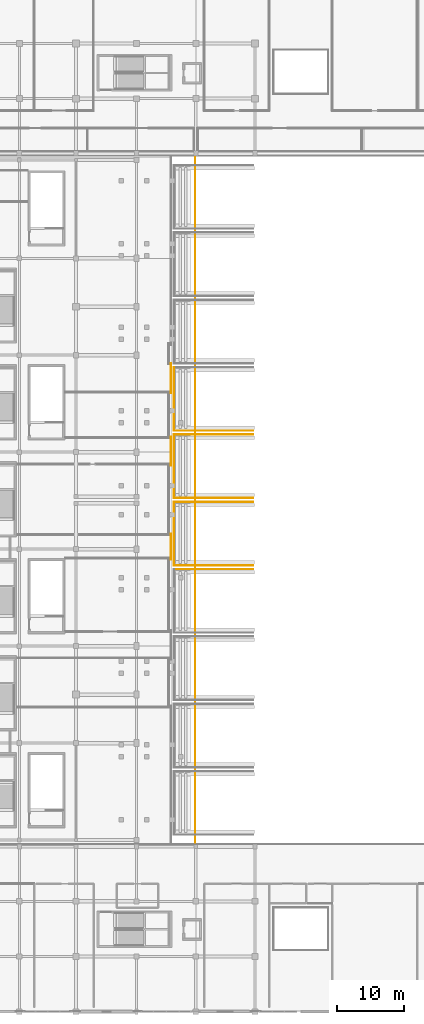
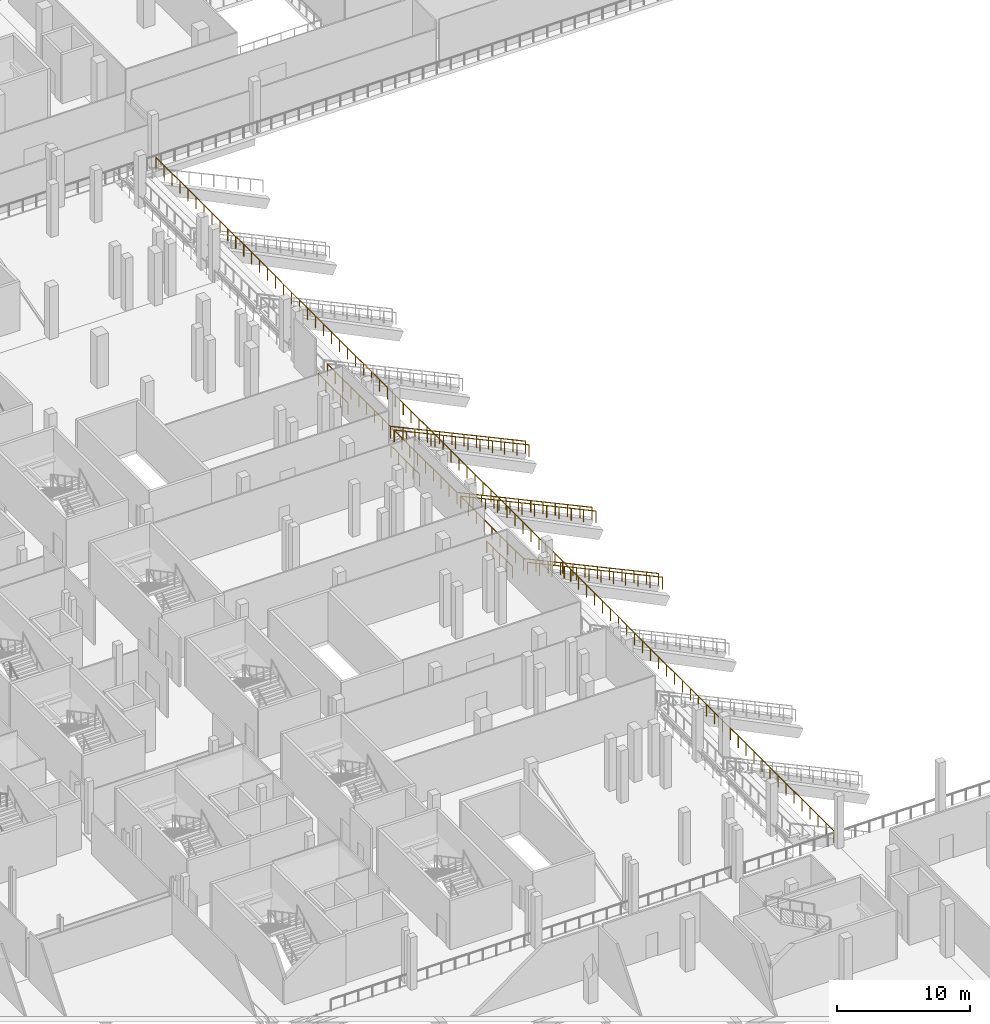
# One storey, part 109 of 129: 14 railings.
"""IFC4 building model written with IfcOpenShell, lengths in metres."""

import ifcopenshell
import ifcopenshell.guid

model = None  # the IFC model being written
_history = None  # IfcOwnerHistory: only IFC2X3 demands one
_inside = {}  # id of a spatial element -> (the spatial element, [elements in it])
_under = {}  # id of a project, library or spatial element -> (it, [spatial elements below it])
_declared = {}  # id of a project -> (the project, [libraries it declares])
_typed = {}  # id of a type object -> (the type object, [elements of that type])
_made_of = {}  # id of a material, layer set ... -> (it, [elements and type objects made of it])


def new_model(schema):
    """Start an empty IFC model of exactly this schema.

    Asked for "IFC4X3", IfcOpenShell would pick the latest addendum, in which some entities
    have other attributes; the version numbers below select the first issue.
    IFC2X3 requires an IfcOwnerHistory on every rooted entity: one is made here for all.
    """
    global model, _history
    if schema == "IFC4X3":
        model = ifcopenshell.file(schema_version=(4, 3, 0, 0))
    else:
        model = ifcopenshell.file(schema=schema)
    _inside.clear()
    _under.clear()
    _declared.clear()
    _typed.clear()
    _made_of.clear()
    _history = None
    if model.schema == "IFC2X3":
        org = make("IfcOrganization", Name="unknown")
        user = make(
            "IfcPersonAndOrganization",
            ThePerson=make("IfcPerson", FamilyName="unknown"),
            TheOrganization=org,
        )
        app = make(
            "IfcApplication",
            ApplicationDeveloper=org,
            Version="unknown",
            ApplicationFullName="unknown",
            ApplicationIdentifier="unknown",
        )
        _history = make(
            "IfcOwnerHistory",
            OwningUser=user,
            OwningApplication=app,
            ChangeAction="ADDED",
            CreationDate=0,
        )
    return model


def make(cls, **values):
    """One entity of the class cls with the attributes given. An attribute that is None is left unset."""
    return model.create_entity(
        cls, **{name: value for name, value in values.items() if value is not None}
    )


def rooted(cls, **values):
    """An entity with a GlobalId (a new one), such as an element, a storey or a relation."""
    return make(cls, GlobalId=ifcopenshell.guid.new(), OwnerHistory=_history, **values)


def si_unit(unit_type, name, prefix=None):
    """IfcSIUnit, for example si_unit("LENGTHUNIT", "METRE", prefix="MILLI")."""
    return make("IfcSIUnit", UnitType=unit_type, Prefix=prefix, Name=name)


def assignment(units):
    """IfcUnitAssignment: the units of a project."""
    return None if units is None else make("IfcUnitAssignment", Units=units)


def point(xyz):
    """IfcCartesianPoint."""
    return None if xyz is None else make("IfcCartesianPoint", Coordinates=xyz)


def direction(xyz):
    """IfcDirection."""
    return None if xyz is None else make("IfcDirection", DirectionRatios=xyz)


def frame(location, z_axis=None, x_axis=None):
    """IfcAxis2Placement3D, a coordinate frame: its origin and axes. An axis left out is left unset."""
    return make(
        "IfcAxis2Placement3D",
        Location=point(location),
        Axis=direction(z_axis),
        RefDirection=direction(x_axis),
    )


def frame_2d(location, x_axis=None):
    """IfcAxis2Placement2D, a coordinate frame in the plane: its origin and x axis."""
    return make(
        "IfcAxis2Placement2D", Location=point(location), RefDirection=direction(x_axis)
    )


def origin():
    """The frame at (0, 0, 0) with its axes left unset."""
    return frame((0.0, 0.0, 0.0))


def origin_2d():
    """The frame at (0, 0) in the plane with its x axis left unset."""
    return frame_2d((0.0, 0.0))


def place(relative_to, where):
    """IfcLocalPlacement: puts the frame where relative to a parent placement (None: the world)."""
    return make(
        "IfcLocalPlacement", PlacementRelTo=relative_to, RelativePlacement=where
    )


def context(
    kind, dimensions, precision=None, world=None, true_north=None, identifier=None
):
    """IfcGeometricRepresentationContext, for example the 3D "Model" context."""
    return make(
        "IfcGeometricRepresentationContext",
        ContextIdentifier=identifier,
        ContextType=kind,
        CoordinateSpaceDimension=dimensions,
        Precision=precision,
        WorldCoordinateSystem=world,
        TrueNorth=true_north,
    )


def subcontext(parent, identifier, kind, view, scale=None):
    """IfcGeometricRepresentationSubContext, for example "Body" below "Model"."""
    return make(
        "IfcGeometricRepresentationSubContext",
        ContextIdentifier=identifier,
        ContextType=kind,
        ParentContext=parent,
        TargetScale=scale,
        TargetView=view,
    )


def project(units=None, contexts=None):
    """IfcProject with its units and contexts."""
    return rooted(
        "IfcProject",
        Name="project",
        RepresentationContexts=contexts,
        UnitsInContext=assignment(units),
    )


def spatial(cls, under=None, at=None, **own):
    """A site, building, storey or space (cls), placed at a placement, below another one or the project."""
    s = rooted(cls, ObjectPlacement=at, **own)
    if under is not None:
        _under.setdefault(under.id(), (under, []))[1].append(s)
    return s


def profile(cls, at=None, kind="AREA", **sizes):
    """A parametric profile (cls). Its sizes go by their IFC names, for example OverallWidth=200.0."""
    return make(cls, ProfileType=kind, Position=at, **sizes)


def circle(**sizes):
    """IfcCircleProfileDef."""
    return profile("IfcCircleProfileDef", **sizes)


def extrude(swept, where, along, depth):
    """IfcExtrudedAreaSolid: the profile swept, set in the frame where, extruded along a direction by depth."""
    return make(
        "IfcExtrudedAreaSolid",
        SweptArea=swept,
        Position=where,
        ExtrudedDirection=direction(along),
        Depth=depth,
    )


def shape(context_of_items, identifier, shape_type, items):
    """IfcShapeRepresentation: the items that make up one representation, for example the "Body"."""
    return make(
        "IfcShapeRepresentation",
        ContextOfItems=context_of_items,
        RepresentationIdentifier=identifier,
        RepresentationType=shape_type,
        Items=items,
    )


def material(Name=None, Category=None):
    """IfcMaterial."""
    return make("IfcMaterial", Name=Name, Category=Category)


def made_of(thing, what):
    """Note that an element or type object is made of a material, layer set ...; save() writes the relation."""
    if what is not None:
        _made_of.setdefault(what.id(), (what, []))[1].append(thing)
    return thing


def type_object(cls, material=None, **own):
    """A type object (cls), such as IfcWallType, which elements share."""
    return made_of(rooted(cls, **own), material)


def element(
    cls,
    number,
    at=None,
    inside=None,
    cuts=None,
    type_object=None,
    material=None,
    context=None,
    identifier="Body",
    shape_type=None,
    held_by="IfcProductDefinitionShape",
    body=None,
    shapes=None,
    **own,
):
    """One element of the class cls, such as IfcWall. Its Tag is "e" and its number.

    at: its placement. inside: the storey or other place that contains it. cuts: it is an
    opening in that element (IfcRelVoidsElement). A single representation is given by context,
    identifier, shape_type and body (its items); several are given by shapes. held_by: the class
    of the entity that holds the representations. save() writes the other relations.
    """
    e = rooted(cls, Tag="e%d" % number, ObjectPlacement=at, **own)
    if body is not None:
        shapes = [shape(context, identifier, shape_type, body)]
    if shapes is not None:
        e.Representation = make(held_by, Representations=shapes)
    if inside is not None:
        _inside.setdefault(inside.id(), (inside, []))[1].append(e)
    if cuts is not None:
        rooted(
            "IfcRelVoidsElement", RelatingBuildingElement=cuts, RelatedOpeningElement=e
        )
    if type_object is not None:
        _typed.setdefault(type_object.id(), (type_object, []))[1].append(e)
    return made_of(e, material)


def aggregate(whole, parts):
    """IfcRelAggregates: a whole, such as a stair, and the parts it consists of."""
    return rooted("IfcRelAggregates", RelatingObject=whole, RelatedObjects=parts)


def save(model, path):
    """Write the relations noted so far, then the file.

    IfcRelAggregates (storeys below a building ...), IfcRelContainedInSpatialStructure (elements
    in a storey), IfcRelDefinesByType, IfcRelAssociatesMaterial and IfcRelDeclares: one each for
    every whole, place, type object, material and project.
    """
    for whole, parts in _under.values():
        aggregate(whole, parts)
    for where, things in _inside.values():
        rooted(
            "IfcRelContainedInSpatialStructure",
            RelatedElements=things,
            RelatingStructure=where,
        )
    for kind, things in _typed.values():
        rooted("IfcRelDefinesByType", RelatedObjects=things, RelatingType=kind)
    for what, things in _made_of.values():
        rooted("IfcRelAssociatesMaterial", RelatedObjects=things, RelatingMaterial=what)
    for by, libraries in _declared.values():
        rooted("IfcRelDeclares", RelatingContext=by, RelatedDefinitions=libraries)
    model.write(path)


model = new_model("IFC4")

# Units and contexts
model_context = context("Model", 3, precision=1e-05, world=origin(), true_north=direction((0.0, 1.0)))
body_context = subcontext(model_context, "Body", "Model", "MODEL_VIEW")
ifc_project = project(units=[si_unit("LENGTHUNIT", "METRE"), si_unit("AREAUNIT", "SQUARE_METRE"), si_unit("VOLUMEUNIT", "CUBIC_METRE"), si_unit("PLANEANGLEUNIT", "RADIAN"), si_unit("MASSUNIT", "GRAM", prefix="KILO")], contexts=[model_context])

# Site, building, storey
site_placement = place(None, origin())
site = spatial("IfcSite", under=ifc_project, at=site_placement, CompositionType="ELEMENT")
building_placement = place(site_placement, origin())
building = spatial("IfcBuilding", under=site, at=building_placement, Name="Koshinbarg Plaza Stadium", CompositionType="ELEMENT")
storey_placement = place(building_placement, frame((0.0, 0.0, 5.39990234375)))
storey = spatial("IfcBuildingStorey", under=building, at=storey_placement, Name="L01", CompositionType="ELEMENT", Elevation=5.39990234375)

# Railings
ifc_material_1 = material(Name="Toughened laminated glass and stainless steel sightline balustrade", Category="steel")
railing_type_1 = type_object("IfcRailingType", Name="RL-BOWL-1100", PredefinedType="BALUSTRADE", material=ifc_material_1)
railing_1_placement = place(storey_placement, frame((72.320068359375, 25.10009765625, 0.0)))
element("IfcRailing", 1, at=railing_1_placement, inside=storey, type_object=railing_type_1, Name="L01 bowl concourse sightline balustrade 0016", PredefinedType="BALUSTRADE", context=body_context, shape_type="SweptSolid", body=[
    extrude(circle(Radius=0.02392578125, at=origin_2d()), frame((0.0, 0.0, 1.076171875), z_axis=(0.0, 1.0, 0.0), x_axis=(-1.0, 0.0, 0.0)), (0.0, 0.0, 1.0), 101.7998046875),
    extrude(circle(Radius=0.02099609375, at=origin_2d()), origin(), (0.0, 0.0, 1.0), 1.052001953125),
    extrude(circle(Radius=0.02099609375, at=origin_2d()), frame((0.0, 1.19775390625, 0.0)), (0.0, 0.0, 1.0), 1.052001953125),
    extrude(circle(Radius=0.02099609375, at=origin_2d()), frame((0.0, 2.395263671875, 0.0)), (0.0, 0.0, 1.0), 1.052001953125),
    extrude(circle(Radius=0.02099609375, at=origin_2d()), frame((0.0, 3.593017578125, 0.0)), (0.0, 0.0, 1.0), 1.052001953125),
    extrude(circle(Radius=0.02099609375, at=origin_2d()), frame((0.0, 4.79052734375, 0.0)), (0.0, 0.0, 1.0), 1.052001953125),
    extrude(circle(Radius=0.02099609375, at=origin_2d()), frame((0.0, 5.98828125, 0.0)), (0.0, 0.0, 1.0), 1.052001953125),
    extrude(circle(Radius=0.02099609375, at=origin_2d()), frame((0.0, 7.185791015625, 0.0)), (0.0, 0.0, 1.0), 1.052001953125),
    extrude(circle(Radius=0.02099609375, at=origin_2d()), frame((0.0, 8.383544921875, 0.0)), (0.0, 0.0, 1.0), 1.052001953125),
    extrude(circle(Radius=0.02099609375, at=origin_2d()), frame((0.0, 9.5810546875, 0.0)), (0.0, 0.0, 1.0), 1.052001953125),
    extrude(circle(Radius=0.02099609375, at=origin_2d()), frame((0.0, 10.77880859375, 0.0)), (0.0, 0.0, 1.0), 1.052001953125),
    extrude(circle(Radius=0.02099609375, at=origin_2d()), frame((0.0, 11.9765625, 0.0)), (0.0, 0.0, 1.0), 1.052001953125),
    extrude(circle(Radius=0.02099609375, at=origin_2d()), frame((0.0, 13.174072265625, 0.0)), (0.0, 0.0, 1.0), 1.052001953125),
    extrude(circle(Radius=0.02099609375, at=origin_2d()), frame((0.0, 14.371826171875, 0.0)), (0.0, 0.0, 1.0), 1.052001953125),
    extrude(circle(Radius=0.02099609375, at=origin_2d()), frame((0.0, 15.5693359375, 0.0)), (0.0, 0.0, 1.0), 1.052001953125),
    extrude(circle(Radius=0.02099609375, at=origin_2d()), frame((0.0, 16.76708984375, 0.0)), (0.0, 0.0, 1.0), 1.052001953125),
    extrude(circle(Radius=0.02099609375, at=origin_2d()), frame((0.0, 17.964599609375, 0.0)), (0.0, 0.0, 1.0), 1.052001953125),
    extrude(circle(Radius=0.02099609375, at=origin_2d()), frame((0.0, 19.162353515625, 0.0)), (0.0, 0.0, 1.0), 1.052001953125),
    extrude(circle(Radius=0.02099609375, at=origin_2d()), frame((0.0, 20.35986328125, 0.0)), (0.0, 0.0, 1.0), 1.052001953125),
    extrude(circle(Radius=0.02099609375, at=origin_2d()), frame((0.0, 21.5576171875, 0.0)), (0.0, 0.0, 1.0), 1.052001953125),
    extrude(circle(Radius=0.02099609375, at=origin_2d()), frame((0.0, 22.75537109375, 0.0)), (0.0, 0.0, 1.0), 1.052001953125),
    extrude(circle(Radius=0.02099609375, at=origin_2d()), frame((0.0, 23.952880859375, 0.0)), (0.0, 0.0, 1.0), 1.052001953125),
    extrude(circle(Radius=0.02099609375, at=origin_2d()), frame((0.0, 25.150634765625, 0.0)), (0.0, 0.0, 1.0), 1.052001953125),
    extrude(circle(Radius=0.02099609375, at=origin_2d()), frame((0.0, 26.34814453125, 0.0)), (0.0, 0.0, 1.0), 1.052001953125),
    extrude(circle(Radius=0.02099609375, at=origin_2d()), frame((0.0, 27.5458984375, 0.0)), (0.0, 0.0, 1.0), 1.052001953125),
    extrude(circle(Radius=0.02099609375, at=origin_2d()), frame((0.0, 28.743408203125, 0.0)), (0.0, 0.0, 1.0), 1.052001953125),
    extrude(circle(Radius=0.02099609375, at=origin_2d()), frame((0.0, 29.941162109375, 0.0)), (0.0, 0.0, 1.0), 1.052001953125),
    extrude(circle(Radius=0.02099609375, at=origin_2d()), frame((0.0, 31.138671875, 0.0)), (0.0, 0.0, 1.0), 1.052001953125),
    extrude(circle(Radius=0.02099609375, at=origin_2d()), frame((0.0, 32.33642578125, 0.0)), (0.0, 0.0, 1.0), 1.052001953125),
    extrude(circle(Radius=0.02099609375, at=origin_2d()), frame((0.0, 33.533935546875, 0.0)), (0.0, 0.0, 1.0), 1.052001953125),
    extrude(circle(Radius=0.02099609375, at=origin_2d()), frame((0.0, 34.731689453125, 0.0)), (0.0, 0.0, 1.0), 1.052001953125),
    extrude(circle(Radius=0.02099609375, at=origin_2d()), frame((0.0, 35.929443359375, 0.0)), (0.0, 0.0, 1.0), 1.052001953125),
    extrude(circle(Radius=0.02099609375, at=origin_2d()), frame((0.0, 37.126953125, 0.0)), (0.0, 0.0, 1.0), 1.052001953125),
    extrude(circle(Radius=0.02099609375, at=origin_2d()), frame((0.0, 38.32470703125, 0.0)), (0.0, 0.0, 1.0), 1.052001953125),
    extrude(circle(Radius=0.02099609375, at=origin_2d()), frame((0.0, 39.522216796875, 0.0)), (0.0, 0.0, 1.0), 1.052001953125),
    extrude(circle(Radius=0.02099609375, at=origin_2d()), frame((0.0, 40.719970703125, 0.0)), (0.0, 0.0, 1.0), 1.052001953125),
    extrude(circle(Radius=0.02099609375, at=origin_2d()), frame((0.0, 41.91748046875, 0.0)), (0.0, 0.0, 1.0), 1.052001953125),
    extrude(circle(Radius=0.02099609375, at=origin_2d()), frame((0.0, 43.115234375, 0.0)), (0.0, 0.0, 1.0), 1.052001953125),
    extrude(circle(Radius=0.02099609375, at=origin_2d()), frame((0.0, 44.312744140625, 0.0)), (0.0, 0.0, 1.0), 1.052001953125),
    extrude(circle(Radius=0.02099609375, at=origin_2d()), frame((0.0, 45.510498046875, 0.0)), (0.0, 0.0, 1.0), 1.052001953125),
    extrude(circle(Radius=0.02099609375, at=origin_2d()), frame((0.0, 46.708251953125, 0.0)), (0.0, 0.0, 1.0), 1.052001953125),
    extrude(circle(Radius=0.02099609375, at=origin_2d()), frame((0.0, 47.90576171875, 0.0)), (0.0, 0.0, 1.0), 1.052001953125),
    extrude(circle(Radius=0.02099609375, at=origin_2d()), frame((0.0, 49.103515625, 0.0)), (0.0, 0.0, 1.0), 1.052001953125),
    extrude(circle(Radius=0.02099609375, at=origin_2d()), frame((0.0, 50.301025390625, 0.0)), (0.0, 0.0, 1.0), 1.052001953125),
    extrude(circle(Radius=0.02099609375, at=origin_2d()), frame((0.0, 51.498779296875, 0.0)), (0.0, 0.0, 1.0), 1.052001953125),
    extrude(circle(Radius=0.02099609375, at=origin_2d()), frame((0.0, 52.6962890625, 0.0)), (0.0, 0.0, 1.0), 1.052001953125),
    extrude(circle(Radius=0.02099609375, at=origin_2d()), frame((0.0, 53.89404296875, 0.0)), (0.0, 0.0, 1.0), 1.052001953125),
    extrude(circle(Radius=0.02099609375, at=origin_2d()), frame((0.0, 55.091552734375, 0.0)), (0.0, 0.0, 1.0), 1.052001953125),
    extrude(circle(Radius=0.02099609375, at=origin_2d()), frame((0.0, 56.289306640625, 0.0)), (0.0, 0.0, 1.0), 1.052001953125),
    extrude(circle(Radius=0.02099609375, at=origin_2d()), frame((0.0, 57.487060546875, 0.0)), (0.0, 0.0, 1.0), 1.052001953125),
    extrude(circle(Radius=0.02099609375, at=origin_2d()), frame((0.0, 58.6845703125, 0.0)), (0.0, 0.0, 1.0), 1.052001953125),
    extrude(circle(Radius=0.02099609375, at=origin_2d()), frame((0.0, 59.88232421875, 0.0)), (0.0, 0.0, 1.0), 1.052001953125),
    extrude(circle(Radius=0.02099609375, at=origin_2d()), frame((0.0, 61.079833984375, 0.0)), (0.0, 0.0, 1.0), 1.052001953125),
    extrude(circle(Radius=0.02099609375, at=origin_2d()), frame((0.0, 62.277587890625, 0.0)), (0.0, 0.0, 1.0), 1.052001953125),
    extrude(circle(Radius=0.02099609375, at=origin_2d()), frame((0.0, 63.47509765625, 0.0)), (0.0, 0.0, 1.0), 1.052001953125),
    extrude(circle(Radius=0.02099609375, at=origin_2d()), frame((0.0, 64.6728515625, 0.0)), (0.0, 0.0, 1.0), 1.052001953125),
    extrude(circle(Radius=0.02099609375, at=origin_2d()), frame((0.0, 65.870361328125, 0.0)), (0.0, 0.0, 1.0), 1.052001953125),
    extrude(circle(Radius=0.02099609375, at=origin_2d()), frame((0.0, 67.068115234375, 0.0)), (0.0, 0.0, 1.0), 1.052001953125),
    extrude(circle(Radius=0.02099609375, at=origin_2d()), frame((0.0, 68.265869140625, 0.0)), (0.0, 0.0, 1.0), 1.052001953125),
    extrude(circle(Radius=0.02099609375, at=origin_2d()), frame((0.0, 69.46337890625, 0.0)), (0.0, 0.0, 1.0), 1.052001953125),
    extrude(circle(Radius=0.02099609375, at=origin_2d()), frame((0.0, 70.6611328125, 0.0)), (0.0, 0.0, 1.0), 1.052001953125),
    extrude(circle(Radius=0.02099609375, at=origin_2d()), frame((0.0, 71.858642578125, 0.0)), (0.0, 0.0, 1.0), 1.052001953125),
    extrude(circle(Radius=0.02099609375, at=origin_2d()), frame((0.0, 73.056396484375, 0.0)), (0.0, 0.0, 1.0), 1.052001953125),
    extrude(circle(Radius=0.02099609375, at=origin_2d()), frame((0.0, 74.25390625, 0.0)), (0.0, 0.0, 1.0), 1.052001953125),
    extrude(circle(Radius=0.02099609375, at=origin_2d()), frame((0.0, 75.45166015625, 0.0)), (0.0, 0.0, 1.0), 1.052001953125),
    extrude(circle(Radius=0.02099609375, at=origin_2d()), frame((0.0, 76.649169921875, 0.0)), (0.0, 0.0, 1.0), 1.052001953125),
    extrude(circle(Radius=0.02099609375, at=origin_2d()), frame((0.0, 77.846923828125, 0.0)), (0.0, 0.0, 1.0), 1.052001953125),
    extrude(circle(Radius=0.02099609375, at=origin_2d()), frame((0.0, 79.04443359375, 0.0)), (0.0, 0.0, 1.0), 1.052001953125),
    extrude(circle(Radius=0.02099609375, at=origin_2d()), frame((0.0, 80.2421875, 0.0)), (0.0, 0.0, 1.0), 1.052001953125),
    extrude(circle(Radius=0.02099609375, at=origin_2d()), frame((0.0, 81.43994140625, 0.0)), (0.0, 0.0, 1.0), 1.052001953125),
    extrude(circle(Radius=0.02099609375, at=origin_2d()), frame((0.0, 82.637451171875, 0.0)), (0.0, 0.0, 1.0), 1.052001953125),
    extrude(circle(Radius=0.02099609375, at=origin_2d()), frame((0.0, 83.835205078125, 0.0)), (0.0, 0.0, 1.0), 1.052001953125),
    extrude(circle(Radius=0.02099609375, at=origin_2d()), frame((0.0, 85.03271484375, 0.0)), (0.0, 0.0, 1.0), 1.052001953125),
    extrude(circle(Radius=0.02099609375, at=origin_2d()), frame((0.0, 86.23046875, 0.0)), (0.0, 0.0, 1.0), 1.052001953125),
    extrude(circle(Radius=0.02099609375, at=origin_2d()), frame((0.0, 87.427978515625, 0.0)), (0.0, 0.0, 1.0), 1.052001953125),
    extrude(circle(Radius=0.02099609375, at=origin_2d()), frame((0.0, 88.625732421875, 0.0)), (0.0, 0.0, 1.0), 1.052001953125),
    extrude(circle(Radius=0.02099609375, at=origin_2d()), frame((0.0, 89.8232421875, 0.0)), (0.0, 0.0, 1.0), 1.052001953125),
    extrude(circle(Radius=0.02099609375, at=origin_2d()), frame((0.0, 91.02099609375, 0.0)), (0.0, 0.0, 1.0), 1.052001953125),
    extrude(circle(Radius=0.02099609375, at=origin_2d()), frame((0.0, 92.21875, 0.0)), (0.0, 0.0, 1.0), 1.052001953125),
    extrude(circle(Radius=0.02099609375, at=origin_2d()), frame((0.0, 93.416259765625, 0.0)), (0.0, 0.0, 1.0), 1.052001953125),
    extrude(circle(Radius=0.02099609375, at=origin_2d()), frame((0.0, 94.614013671875, 0.0)), (0.0, 0.0, 1.0), 1.052001953125),
    extrude(circle(Radius=0.02099609375, at=origin_2d()), frame((0.0, 95.8115234375, 0.0)), (0.0, 0.0, 1.0), 1.052001953125),
    extrude(circle(Radius=0.02099609375, at=origin_2d()), frame((0.0, 97.00927734375, 0.0)), (0.0, 0.0, 1.0), 1.052001953125),
    extrude(circle(Radius=0.02099609375, at=origin_2d()), frame((0.0, 98.206787109375, 0.0)), (0.0, 0.0, 1.0), 1.052001953125),
    extrude(circle(Radius=0.02099609375, at=origin_2d()), frame((0.0, 99.404541015625, 0.0)), (0.0, 0.0, 1.0), 1.052001953125),
    extrude(circle(Radius=0.02099609375, at=origin_2d()), frame((0.0, 100.60205078125, 0.0)), (0.0, 0.0, 1.0), 1.052001953125),
    extrude(circle(Radius=0.02099609375, at=origin_2d()), frame((0.0, 101.7998046875, 0.0)), (0.0, 0.0, 1.0), 1.052001953125),
])
railing_2_placement = place(storey_placement, frame((68.719970703125, 83.10009765625, 0.0)))
element("IfcRailing", 2, at=railing_2_placement, inside=storey, type_object=railing_type_1, Name="L01 deck edge safety balustrade 0004", PredefinedType="BALUSTRADE", context=body_context, shape_type="SweptSolid", body=[
    extrude(circle(Radius=0.02392578125, at=origin_2d()), frame((0.0, 0.0, 1.076171875), z_axis=(0.0, -1.0, 0.0), x_axis=(1.0, 0.0, 0.0)), (0.0, 0.0, 1.0), 2.0),
    extrude(circle(Radius=0.02099609375, at=origin_2d()), origin(), (0.0, 0.0, 1.0), 1.052001953125),
    extrude(circle(Radius=0.02099609375, at=origin_2d()), frame((0.0, -1.0, 0.0)), (0.0, 0.0, 1.0), 1.052001953125),
    extrude(circle(Radius=0.02099609375, at=origin_2d()), frame((0.0, -2.0, 0.0)), (0.0, 0.0, 1.0), 1.052001953125),
])
railing_3_placement = place(storey_placement, frame((68.719970703125, 71.0, 0.0)))
element("IfcRailing", 3, at=railing_3_placement, inside=storey, type_object=railing_type_1, Name="L01 deck edge safety balustrade 0005", PredefinedType="BALUSTRADE", context=body_context, shape_type="SweptSolid", body=[
    extrude(circle(Radius=0.02392578125, at=origin_2d()), frame((0.0, 0.0, 1.076171875), z_axis=(0.0, -1.0, 0.0), x_axis=(1.0, 0.0, 0.0)), (0.0, 0.0, 1.0), 3.85009765625),
    extrude(circle(Radius=0.02099609375, at=origin_2d()), origin(), (0.0, 0.0, 1.0), 1.052001953125),
    extrude(circle(Radius=0.02099609375, at=origin_2d()), frame((0.0, -0.96240234375, 0.0)), (0.0, 0.0, 1.0), 1.052001953125),
    extrude(circle(Radius=0.02099609375, at=origin_2d()), frame((0.0, -1.925048828125, 0.0)), (0.0, 0.0, 1.0), 1.052001953125),
    extrude(circle(Radius=0.02099609375, at=origin_2d()), frame((0.0, -2.8876953125, 0.0)), (0.0, 0.0, 1.0), 1.052001953125),
    extrude(circle(Radius=0.02099609375, at=origin_2d()), frame((0.0, -3.85009765625, 0.0)), (0.0, 0.0, 1.0), 1.052001953125),
])
railing_4_placement = place(storey_placement, frame((68.719970703125, 96.282470703125, 0.0)))
element("IfcRailing", 4, at=railing_4_placement, inside=storey, type_object=railing_type_1, Name="L01 deck edge safety balustrade 0008", PredefinedType="BALUSTRADE", context=body_context, shape_type="SweptSolid", body=[
    extrude(circle(Radius=0.02392578125, at=origin_2d()), frame((0.0, 0.0, 1.076171875), z_axis=(0.0, -1.0, 0.0), x_axis=(1.0, 0.0, 0.0)), (0.0, 0.0, 1.0), 4.428955078125),
    extrude(circle(Radius=0.02099609375, at=origin_2d()), origin(), (0.0, 0.0, 1.0), 1.052001953125),
    extrude(circle(Radius=0.02099609375, at=origin_2d()), frame((0.0, -1.107177734375, 0.0)), (0.0, 0.0, 1.0), 1.052001953125),
    extrude(circle(Radius=0.02099609375, at=origin_2d()), frame((0.0, -2.21435546875, 0.0)), (0.0, 0.0, 1.0), 1.052001953125),
    extrude(circle(Radius=0.02099609375, at=origin_2d()), frame((0.0, -3.32177734375, 0.0)), (0.0, 0.0, 1.0), 1.052001953125),
    extrude(circle(Radius=0.02099609375, at=origin_2d()), frame((0.0, -4.428955078125, 0.0)), (0.0, 0.0, 1.0), 1.052001953125),
])
railing_5_placement = place(storey_placement, frame((68.719970703125, 85.38916015625, 0.0)))
element("IfcRailing", 5, at=railing_5_placement, inside=storey, type_object=railing_type_1, Name="L01 deck edge safety balustrade 0009", PredefinedType="BALUSTRADE", context=body_context, shape_type="SweptSolid", body=[
    extrude(circle(Radius=0.02392578125, at=origin_2d()), frame((0.0, 0.0, 1.076171875), z_axis=(0.0, -1.0, 0.0), x_axis=(1.0, 0.0, 0.0)), (0.0, 0.0, 1.0), 2.2890625),
    extrude(circle(Radius=0.02099609375, at=origin_2d()), origin(), (0.0, 0.0, 1.0), 1.052001953125),
    extrude(circle(Radius=0.02099609375, at=origin_2d()), frame((0.0, -1.14453125, 0.0)), (0.0, 0.0, 1.0), 1.052001953125),
    extrude(circle(Radius=0.02099609375, at=origin_2d()), frame((0.0, -2.2890625, 0.0)), (0.0, 0.0, 1.0), 1.052001953125),
])
ifc_material_2 = material(Name="Galvanized painted steel guardrail", Category="steel")
railing_type_2 = type_object("IfcRailingType", Name="RL-GUARD-1100", PredefinedType="GUARDRAIL", material=ifc_material_2)
railing_6_placement = place(storey_placement, frame((80.89990234375, 65.719970703125, -4.3798828125)))
element("IfcRailing", 6, at=railing_6_placement, inside=storey, type_object=railing_type_2, Name="LT-W04 stepped aisle guard R", PredefinedType="GUARDRAIL", context=body_context, shape_type="SweptSolid", body=[
    extrude(circle(Radius=0.02392578125, at=origin_2d()), frame((0.0, 0.0, 1.076171875), z_axis=(-0.906183623075, 0.0, 0.422884430158), x_axis=(0.0, -1.0, 0.0)), (0.0, 0.0, 1.0), 12.9111328125),
    extrude(circle(Radius=0.02099609375, at=origin_2d()), origin(), (0.0, 0.0, 1.0), 1.052001953125),
    extrude(circle(Radius=0.02099609375, at=origin_2d()), frame((-1.063720703125, 0.0, 0.496337890625)), (0.0, 0.0, 1.0), 1.052001953125),
    extrude(circle(Radius=0.02099609375, at=origin_2d()), frame((-2.127197265625, 0.0, 0.99267578125)), (0.0, 0.0, 1.0), 1.052001953125),
    extrude(circle(Radius=0.02099609375, at=origin_2d()), frame((-3.19091796875, 0.0, 1.489013671875)), (0.0, 0.0, 1.0), 1.052001953125),
    extrude(circle(Radius=0.02099609375, at=origin_2d()), frame((-4.254638671875, 0.0, 1.9853515625)), (0.0, 0.0, 1.0), 1.052001953125),
    extrude(circle(Radius=0.02099609375, at=origin_2d()), frame((-5.318115234375, 0.0, 2.481689453125)), (0.0, 0.0, 1.0), 1.052001953125),
    extrude(circle(Radius=0.02099609375, at=origin_2d()), frame((-6.3818359375, 0.0, 2.978271484375)), (0.0, 0.0, 1.0), 1.052001953125),
    extrude(circle(Radius=0.02099609375, at=origin_2d()), frame((-7.4453125, 0.0, 3.474609375)), (0.0, 0.0, 1.0), 1.052001953125),
    extrude(circle(Radius=0.02099609375, at=origin_2d()), frame((-8.509033203125, 0.0, 3.970947265625)), (0.0, 0.0, 1.0), 1.052001953125),
    extrude(circle(Radius=0.02099609375, at=origin_2d()), frame((-9.57275390625, 0.0, 4.46728515625)), (0.0, 0.0, 1.0), 1.052001953125),
    extrude(circle(Radius=0.02099609375, at=origin_2d()), frame((-10.63623046875, 0.0, 4.963623046875)), (0.0, 0.0, 1.0), 1.052001953125),
    extrude(circle(Radius=0.02099609375, at=origin_2d()), frame((-11.699951171875, 0.0, 5.4599609375)), (0.0, 0.0, 1.0), 1.052001953125),
])
railing_7_placement = place(storey_placement, frame((69.179931640625, 66.280029296875, 1.080078125)))
element("IfcRailing", 7, at=railing_7_placement, inside=storey, type_object=railing_type_2, Name="LT-W05 rear stand guard", PredefinedType="GUARDRAIL", context=body_context, shape_type="SweptSolid", body=[
    extrude(circle(Radius=0.02392578125, at=origin_2d()), frame((0.0, 0.0, 1.076171875), z_axis=(0.0, 1.0, 0.0), x_axis=(-1.0, 0.0, 0.0)), (0.0, 0.0, 1.0), 9.43994140625),
    extrude(circle(Radius=0.02099609375, at=origin_2d()), origin(), (0.0, 0.0, 1.0), 1.052001953125),
    extrude(circle(Radius=0.02099609375, at=origin_2d()), frame((0.0, 1.179931640625, 0.0)), (0.0, 0.0, 1.0), 1.052001953125),
    extrude(circle(Radius=0.02099609375, at=origin_2d()), frame((0.0, 2.35986328125, 0.0)), (0.0, 0.0, 1.0), 1.052001953125),
    extrude(circle(Radius=0.02099609375, at=origin_2d()), frame((0.0, 3.5400390625, 0.0)), (0.0, 0.0, 1.0), 1.052001953125),
    extrude(circle(Radius=0.02099609375, at=origin_2d()), frame((0.0, 4.719970703125, 0.0)), (0.0, 0.0, 1.0), 1.052001953125),
    extrude(circle(Radius=0.02099609375, at=origin_2d()), frame((0.0, 5.89990234375, 0.0)), (0.0, 0.0, 1.0), 1.052001953125),
    extrude(circle(Radius=0.02099609375, at=origin_2d()), frame((0.0, 7.080078125, 0.0)), (0.0, 0.0, 1.0), 1.052001953125),
    extrude(circle(Radius=0.02099609375, at=origin_2d()), frame((0.0, 8.260009765625, 0.0)), (0.0, 0.0, 1.0), 1.052001953125),
    extrude(circle(Radius=0.02099609375, at=origin_2d()), frame((0.0, 9.43994140625, 0.0)), (0.0, 0.0, 1.0), 1.052001953125),
])
railing_8_placement = place(storey_placement, frame((80.89990234375, 66.280029296875, -4.3798828125)))
element("IfcRailing", 8, at=railing_8_placement, inside=storey, type_object=railing_type_2, Name="LT-W05 stepped aisle guard L", PredefinedType="GUARDRAIL", context=body_context, shape_type="SweptSolid", body=[
    extrude(circle(Radius=0.02392578125, at=origin_2d()), frame((0.0, 0.0, 1.076171875), z_axis=(-0.906183623075, 0.0, 0.422884430158), x_axis=(0.0, -1.0, 0.0)), (0.0, 0.0, 1.0), 12.9111328125),
    extrude(circle(Radius=0.02099609375, at=origin_2d()), origin(), (0.0, 0.0, 1.0), 1.052001953125),
    extrude(circle(Radius=0.02099609375, at=origin_2d()), frame((-1.063720703125, 0.0, 0.496337890625)), (0.0, 0.0, 1.0), 1.052001953125),
    extrude(circle(Radius=0.02099609375, at=origin_2d()), frame((-2.127197265625, 0.0, 0.99267578125)), (0.0, 0.0, 1.0), 1.052001953125),
    extrude(circle(Radius=0.02099609375, at=origin_2d()), frame((-3.19091796875, 0.0, 1.489013671875)), (0.0, 0.0, 1.0), 1.052001953125),
    extrude(circle(Radius=0.02099609375, at=origin_2d()), frame((-4.254638671875, 0.0, 1.9853515625)), (0.0, 0.0, 1.0), 1.052001953125),
    extrude(circle(Radius=0.02099609375, at=origin_2d()), frame((-5.318115234375, 0.0, 2.481689453125)), (0.0, 0.0, 1.0), 1.052001953125),
    extrude(circle(Radius=0.02099609375, at=origin_2d()), frame((-6.3818359375, 0.0, 2.978271484375)), (0.0, 0.0, 1.0), 1.052001953125),
    extrude(circle(Radius=0.02099609375, at=origin_2d()), frame((-7.4453125, 0.0, 3.474609375)), (0.0, 0.0, 1.0), 1.052001953125),
    extrude(circle(Radius=0.02099609375, at=origin_2d()), frame((-8.509033203125, 0.0, 3.970947265625)), (0.0, 0.0, 1.0), 1.052001953125),
    extrude(circle(Radius=0.02099609375, at=origin_2d()), frame((-9.57275390625, 0.0, 4.46728515625)), (0.0, 0.0, 1.0), 1.052001953125),
    extrude(circle(Radius=0.02099609375, at=origin_2d()), frame((-10.63623046875, 0.0, 4.963623046875)), (0.0, 0.0, 1.0), 1.052001953125),
    extrude(circle(Radius=0.02099609375, at=origin_2d()), frame((-11.699951171875, 0.0, 5.4599609375)), (0.0, 0.0, 1.0), 1.052001953125),
])
railing_9_placement = place(storey_placement, frame((80.89990234375, 75.719970703125, -4.3798828125)))
element("IfcRailing", 9, at=railing_9_placement, inside=storey, type_object=railing_type_2, Name="LT-W05 stepped aisle guard R", PredefinedType="GUARDRAIL", context=body_context, shape_type="SweptSolid", body=[
    extrude(circle(Radius=0.02392578125, at=origin_2d()), frame((0.0, 0.0, 1.076171875), z_axis=(-0.906183623075, 0.0, 0.422884430158), x_axis=(0.0, -1.0, 0.0)), (0.0, 0.0, 1.0), 12.9111328125),
    extrude(circle(Radius=0.02099609375, at=origin_2d()), origin(), (0.0, 0.0, 1.0), 1.052001953125),
    extrude(circle(Radius=0.02099609375, at=origin_2d()), frame((-1.063720703125, 0.0, 0.496337890625)), (0.0, 0.0, 1.0), 1.052001953125),
    extrude(circle(Radius=0.02099609375, at=origin_2d()), frame((-2.127197265625, 0.0, 0.99267578125)), (0.0, 0.0, 1.0), 1.052001953125),
    extrude(circle(Radius=0.02099609375, at=origin_2d()), frame((-3.19091796875, 0.0, 1.489013671875)), (0.0, 0.0, 1.0), 1.052001953125),
    extrude(circle(Radius=0.02099609375, at=origin_2d()), frame((-4.254638671875, 0.0, 1.9853515625)), (0.0, 0.0, 1.0), 1.052001953125),
    extrude(circle(Radius=0.02099609375, at=origin_2d()), frame((-5.318115234375, 0.0, 2.481689453125)), (0.0, 0.0, 1.0), 1.052001953125),
    extrude(circle(Radius=0.02099609375, at=origin_2d()), frame((-6.3818359375, 0.0, 2.978271484375)), (0.0, 0.0, 1.0), 1.052001953125),
    extrude(circle(Radius=0.02099609375, at=origin_2d()), frame((-7.4453125, 0.0, 3.474609375)), (0.0, 0.0, 1.0), 1.052001953125),
    extrude(circle(Radius=0.02099609375, at=origin_2d()), frame((-8.509033203125, 0.0, 3.970947265625)), (0.0, 0.0, 1.0), 1.052001953125),
    extrude(circle(Radius=0.02099609375, at=origin_2d()), frame((-9.57275390625, 0.0, 4.46728515625)), (0.0, 0.0, 1.0), 1.052001953125),
    extrude(circle(Radius=0.02099609375, at=origin_2d()), frame((-10.63623046875, 0.0, 4.963623046875)), (0.0, 0.0, 1.0), 1.052001953125),
    extrude(circle(Radius=0.02099609375, at=origin_2d()), frame((-11.699951171875, 0.0, 5.4599609375)), (0.0, 0.0, 1.0), 1.052001953125),
])
railing_10_placement = place(storey_placement, frame((69.179931640625, 76.280029296875, 1.080078125)))
element("IfcRailing", 10, at=railing_10_placement, inside=storey, type_object=railing_type_2, Name="LT-W06 rear stand guard", PredefinedType="GUARDRAIL", context=body_context, shape_type="SweptSolid", body=[
    extrude(circle(Radius=0.02392578125, at=origin_2d()), frame((0.0, 0.0, 1.076171875), z_axis=(0.0, 1.0, 0.0), x_axis=(-1.0, 0.0, 0.0)), (0.0, 0.0, 1.0), 9.43994140625),
    extrude(circle(Radius=0.02099609375, at=origin_2d()), origin(), (0.0, 0.0, 1.0), 1.052001953125),
    extrude(circle(Radius=0.02099609375, at=origin_2d()), frame((0.0, 1.179931640625, 0.0)), (0.0, 0.0, 1.0), 1.052001953125),
    extrude(circle(Radius=0.02099609375, at=origin_2d()), frame((0.0, 2.35986328125, 0.0)), (0.0, 0.0, 1.0), 1.052001953125),
    extrude(circle(Radius=0.02099609375, at=origin_2d()), frame((0.0, 3.5400390625, 0.0)), (0.0, 0.0, 1.0), 1.052001953125),
    extrude(circle(Radius=0.02099609375, at=origin_2d()), frame((0.0, 4.719970703125, 0.0)), (0.0, 0.0, 1.0), 1.052001953125),
    extrude(circle(Radius=0.02099609375, at=origin_2d()), frame((0.0, 5.89990234375, 0.0)), (0.0, 0.0, 1.0), 1.052001953125),
    extrude(circle(Radius=0.02099609375, at=origin_2d()), frame((0.0, 7.080078125, 0.0)), (0.0, 0.0, 1.0), 1.052001953125),
    extrude(circle(Radius=0.02099609375, at=origin_2d()), frame((0.0, 8.260009765625, 0.0)), (0.0, 0.0, 1.0), 1.052001953125),
    extrude(circle(Radius=0.02099609375, at=origin_2d()), frame((0.0, 9.43994140625, 0.0)), (0.0, 0.0, 1.0), 1.052001953125),
])
railing_11_placement = place(storey_placement, frame((80.89990234375, 76.280029296875, -4.3798828125)))
element("IfcRailing", 11, at=railing_11_placement, inside=storey, type_object=railing_type_2, Name="LT-W06 stepped aisle guard L", PredefinedType="GUARDRAIL", context=body_context, shape_type="SweptSolid", body=[
    extrude(circle(Radius=0.02392578125, at=origin_2d()), frame((0.0, 0.0, 1.076171875), z_axis=(-0.906183623075, 0.0, 0.422884430158), x_axis=(0.0, -1.0, 0.0)), (0.0, 0.0, 1.0), 12.9111328125),
    extrude(circle(Radius=0.02099609375, at=origin_2d()), origin(), (0.0, 0.0, 1.0), 1.052001953125),
    extrude(circle(Radius=0.02099609375, at=origin_2d()), frame((-1.063720703125, 0.0, 0.496337890625)), (0.0, 0.0, 1.0), 1.052001953125),
    extrude(circle(Radius=0.02099609375, at=origin_2d()), frame((-2.127197265625, 0.0, 0.99267578125)), (0.0, 0.0, 1.0), 1.052001953125),
    extrude(circle(Radius=0.02099609375, at=origin_2d()), frame((-3.19091796875, 0.0, 1.489013671875)), (0.0, 0.0, 1.0), 1.052001953125),
    extrude(circle(Radius=0.02099609375, at=origin_2d()), frame((-4.254638671875, 0.0, 1.9853515625)), (0.0, 0.0, 1.0), 1.052001953125),
    extrude(circle(Radius=0.02099609375, at=origin_2d()), frame((-5.318115234375, 0.0, 2.481689453125)), (0.0, 0.0, 1.0), 1.052001953125),
    extrude(circle(Radius=0.02099609375, at=origin_2d()), frame((-6.3818359375, 0.0, 2.978271484375)), (0.0, 0.0, 1.0), 1.052001953125),
    extrude(circle(Radius=0.02099609375, at=origin_2d()), frame((-7.4453125, 0.0, 3.474609375)), (0.0, 0.0, 1.0), 1.052001953125),
    extrude(circle(Radius=0.02099609375, at=origin_2d()), frame((-8.509033203125, 0.0, 3.970947265625)), (0.0, 0.0, 1.0), 1.052001953125),
    extrude(circle(Radius=0.02099609375, at=origin_2d()), frame((-9.57275390625, 0.0, 4.46728515625)), (0.0, 0.0, 1.0), 1.052001953125),
    extrude(circle(Radius=0.02099609375, at=origin_2d()), frame((-10.63623046875, 0.0, 4.963623046875)), (0.0, 0.0, 1.0), 1.052001953125),
    extrude(circle(Radius=0.02099609375, at=origin_2d()), frame((-11.699951171875, 0.0, 5.4599609375)), (0.0, 0.0, 1.0), 1.052001953125),
])
railing_12_placement = place(storey_placement, frame((80.89990234375, 85.719970703125, -4.3798828125)))
element("IfcRailing", 12, at=railing_12_placement, inside=storey, type_object=railing_type_2, Name="LT-W06 stepped aisle guard R", PredefinedType="GUARDRAIL", context=body_context, shape_type="SweptSolid", body=[
    extrude(circle(Radius=0.02392578125, at=origin_2d()), frame((0.0, 0.0, 1.076171875), z_axis=(-0.906183623075, 0.0, 0.422884430158), x_axis=(0.0, -1.0, 0.0)), (0.0, 0.0, 1.0), 12.9111328125),
    extrude(circle(Radius=0.02099609375, at=origin_2d()), origin(), (0.0, 0.0, 1.0), 1.052001953125),
    extrude(circle(Radius=0.02099609375, at=origin_2d()), frame((-1.063720703125, 0.0, 0.496337890625)), (0.0, 0.0, 1.0), 1.052001953125),
    extrude(circle(Radius=0.02099609375, at=origin_2d()), frame((-2.127197265625, 0.0, 0.99267578125)), (0.0, 0.0, 1.0), 1.052001953125),
    extrude(circle(Radius=0.02099609375, at=origin_2d()), frame((-3.19091796875, 0.0, 1.489013671875)), (0.0, 0.0, 1.0), 1.052001953125),
    extrude(circle(Radius=0.02099609375, at=origin_2d()), frame((-4.254638671875, 0.0, 1.9853515625)), (0.0, 0.0, 1.0), 1.052001953125),
    extrude(circle(Radius=0.02099609375, at=origin_2d()), frame((-5.318115234375, 0.0, 2.481689453125)), (0.0, 0.0, 1.0), 1.052001953125),
    extrude(circle(Radius=0.02099609375, at=origin_2d()), frame((-6.3818359375, 0.0, 2.978271484375)), (0.0, 0.0, 1.0), 1.052001953125),
    extrude(circle(Radius=0.02099609375, at=origin_2d()), frame((-7.4453125, 0.0, 3.474609375)), (0.0, 0.0, 1.0), 1.052001953125),
    extrude(circle(Radius=0.02099609375, at=origin_2d()), frame((-8.509033203125, 0.0, 3.970947265625)), (0.0, 0.0, 1.0), 1.052001953125),
    extrude(circle(Radius=0.02099609375, at=origin_2d()), frame((-9.57275390625, 0.0, 4.46728515625)), (0.0, 0.0, 1.0), 1.052001953125),
    extrude(circle(Radius=0.02099609375, at=origin_2d()), frame((-10.63623046875, 0.0, 4.963623046875)), (0.0, 0.0, 1.0), 1.052001953125),
    extrude(circle(Radius=0.02099609375, at=origin_2d()), frame((-11.699951171875, 0.0, 5.4599609375)), (0.0, 0.0, 1.0), 1.052001953125),
])
railing_13_placement = place(storey_placement, frame((69.179931640625, 86.280029296875, 1.080078125)))
element("IfcRailing", 13, at=railing_13_placement, inside=storey, type_object=railing_type_2, Name="LT-W07 rear stand guard", PredefinedType="GUARDRAIL", context=body_context, shape_type="SweptSolid", body=[
    extrude(circle(Radius=0.02392578125, at=origin_2d()), frame((0.0, 0.0, 1.076171875), z_axis=(0.0, 1.0, 0.0), x_axis=(-1.0, 0.0, 0.0)), (0.0, 0.0, 1.0), 9.43994140625),
    extrude(circle(Radius=0.02099609375, at=origin_2d()), origin(), (0.0, 0.0, 1.0), 1.052001953125),
    extrude(circle(Radius=0.02099609375, at=origin_2d()), frame((0.0, 1.179931640625, 0.0)), (0.0, 0.0, 1.0), 1.052001953125),
    extrude(circle(Radius=0.02099609375, at=origin_2d()), frame((0.0, 2.35986328125, 0.0)), (0.0, 0.0, 1.0), 1.052001953125),
    extrude(circle(Radius=0.02099609375, at=origin_2d()), frame((0.0, 3.5400390625, 0.0)), (0.0, 0.0, 1.0), 1.052001953125),
    extrude(circle(Radius=0.02099609375, at=origin_2d()), frame((0.0, 4.719970703125, 0.0)), (0.0, 0.0, 1.0), 1.052001953125),
    extrude(circle(Radius=0.02099609375, at=origin_2d()), frame((0.0, 5.89990234375, 0.0)), (0.0, 0.0, 1.0), 1.052001953125),
    extrude(circle(Radius=0.02099609375, at=origin_2d()), frame((0.0, 7.080078125, 0.0)), (0.0, 0.0, 1.0), 1.052001953125),
    extrude(circle(Radius=0.02099609375, at=origin_2d()), frame((0.0, 8.260009765625, 0.0)), (0.0, 0.0, 1.0), 1.052001953125),
    extrude(circle(Radius=0.02099609375, at=origin_2d()), frame((0.0, 9.43994140625, 0.0)), (0.0, 0.0, 1.0), 1.052001953125),
])
railing_14_placement = place(storey_placement, frame((80.89990234375, 86.280029296875, -4.3798828125)))
element("IfcRailing", 14, at=railing_14_placement, inside=storey, type_object=railing_type_2, Name="LT-W07 stepped aisle guard L", PredefinedType="GUARDRAIL", context=body_context, shape_type="SweptSolid", body=[
    extrude(circle(Radius=0.02392578125, at=origin_2d()), frame((0.0, 0.0, 1.076171875), z_axis=(-0.906183623075, 0.0, 0.422884430158), x_axis=(0.0, -1.0, 0.0)), (0.0, 0.0, 1.0), 12.9111328125),
    extrude(circle(Radius=0.02099609375, at=origin_2d()), origin(), (0.0, 0.0, 1.0), 1.052001953125),
    extrude(circle(Radius=0.02099609375, at=origin_2d()), frame((-1.063720703125, 0.0, 0.496337890625)), (0.0, 0.0, 1.0), 1.052001953125),
    extrude(circle(Radius=0.02099609375, at=origin_2d()), frame((-2.127197265625, 0.0, 0.99267578125)), (0.0, 0.0, 1.0), 1.052001953125),
    extrude(circle(Radius=0.02099609375, at=origin_2d()), frame((-3.19091796875, 0.0, 1.489013671875)), (0.0, 0.0, 1.0), 1.052001953125),
    extrude(circle(Radius=0.02099609375, at=origin_2d()), frame((-4.254638671875, 0.0, 1.9853515625)), (0.0, 0.0, 1.0), 1.052001953125),
    extrude(circle(Radius=0.02099609375, at=origin_2d()), frame((-5.318115234375, 0.0, 2.481689453125)), (0.0, 0.0, 1.0), 1.052001953125),
    extrude(circle(Radius=0.02099609375, at=origin_2d()), frame((-6.3818359375, 0.0, 2.978271484375)), (0.0, 0.0, 1.0), 1.052001953125),
    extrude(circle(Radius=0.02099609375, at=origin_2d()), frame((-7.4453125, 0.0, 3.474609375)), (0.0, 0.0, 1.0), 1.052001953125),
    extrude(circle(Radius=0.02099609375, at=origin_2d()), frame((-8.509033203125, 0.0, 3.970947265625)), (0.0, 0.0, 1.0), 1.052001953125),
    extrude(circle(Radius=0.02099609375, at=origin_2d()), frame((-9.57275390625, 0.0, 4.46728515625)), (0.0, 0.0, 1.0), 1.052001953125),
    extrude(circle(Radius=0.02099609375, at=origin_2d()), frame((-10.63623046875, 0.0, 4.963623046875)), (0.0, 0.0, 1.0), 1.052001953125),
    extrude(circle(Radius=0.02099609375, at=origin_2d()), frame((-11.699951171875, 0.0, 5.4599609375)), (0.0, 0.0, 1.0), 1.052001953125),
])

save(model, "model.ifc")
